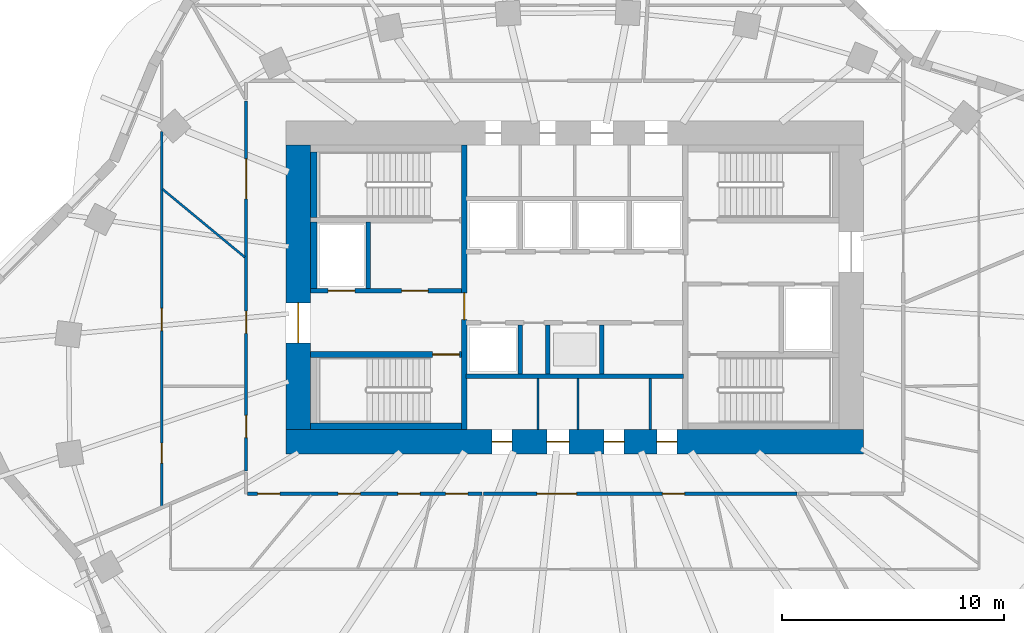
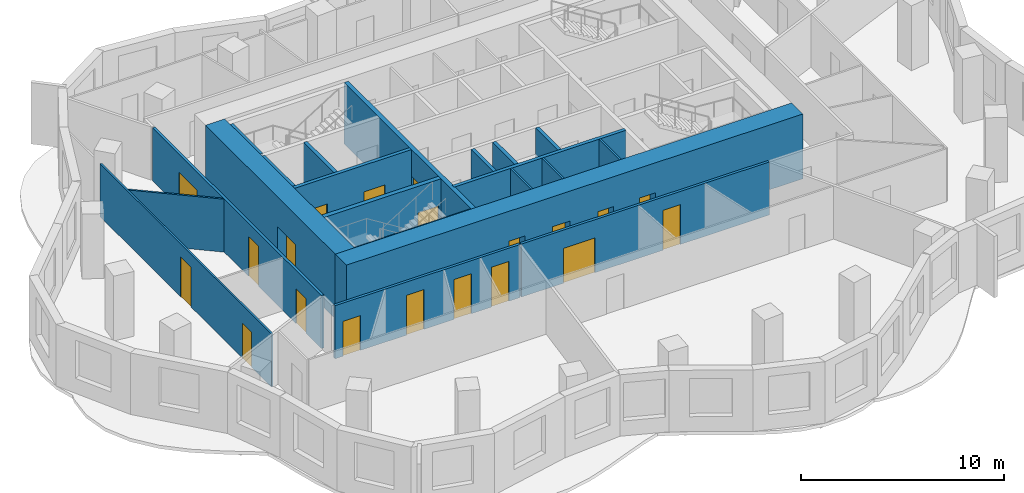
# One storey, part 4 of 10: 21 walls, 20 doors, 20 openings.
"""IFC4 building model written with IfcOpenShell, lengths in metres."""

from ifc_helpers import new_model, si_unit, direction, frame, frame_2d, origin, place, context, subcontext, project, spatial, rectangle, extrude, material, layer, layer_set, type_object, element, fill, save


model = new_model("IFC4")

# Units and contexts
model_context = context("Model", 3, precision=1e-05, world=origin(), true_north=direction((0.0, 1.0)))
body_context = subcontext(model_context, "Body", "Model", "MODEL_VIEW")
ifc_project = project(units=[si_unit("LENGTHUNIT", "METRE"), si_unit("AREAUNIT", "SQUARE_METRE"), si_unit("VOLUMEUNIT", "CUBIC_METRE"), si_unit("PLANEANGLEUNIT", "RADIAN"), si_unit("MASSUNIT", "GRAM", prefix="KILO")], contexts=[model_context])

# Site, building, storey
site_placement = place(None, origin())
site = spatial("IfcSite", under=ifc_project, at=site_placement, CompositionType="ELEMENT")
building_placement = place(site_placement, origin())
building = spatial("IfcBuilding", under=site, at=building_placement, Name="Rubra Terraces Tower", CompositionType="ELEMENT")
storey_placement = place(building_placement, frame((0.0, 0.0, 134.39990234375)))
storey = spatial("IfcBuildingStorey", under=building, at=storey_placement, Name="L32", CompositionType="ELEMENT", Elevation=134.39990234375)

# Wall, openings, doors
ifc_material_1 = material(Name="Concrete C60", Category="concrete")
ifc_layer_1 = layer(ifc_material_1, 1.10009765625)
ifc_layer_set_1 = layer_set([ifc_layer_1], Name="Concrete C60")
wall_type_1 = type_object("IfcWallType", Name="CORE WALL 1100 C60", PredefinedType="SHEAR", material=ifc_layer_set_1)
wall_1_placement = place(storey_placement, frame((-13.0, -2.449951171875, 0.0), z_axis=(0.0, 0.0, 1.0), x_axis=(1.0, 0.0, 0.0)))
wall_1 = element("IfcWall", 1, at=wall_1_placement, inside=storey, type_object=wall_type_1, Name="CORE WALL S L32", PredefinedType="SHEAR", context=body_context, shape_type="SweptSolid", body=[
    extrude(rectangle(XDim=26.0, YDim=1.10009765625, at=frame_2d((13.0, 0.0))), origin(), (0.0, 0.0, 1.0), 3.900146484375),
])
opening_1_placement = place(wall_1_placement, frame((9.27490234375, 0.0, 0.0)))
opening_1 = element("IfcOpeningElement", 2, at=opening_1_placement, cuts=wall_1, Name="Opening L32.C21", PredefinedType="OPENING", context=body_context, shape_type="SweptSolid", body=[
    extrude(rectangle(XDim=0.89990234375, YDim=2.10009765625, at=frame_2d((0.449951171875, 1.050048828125))), frame((0.0, 0.56005859375, 0.0), z_axis=(0.0, -1.0, 0.0), x_axis=(1.0, 0.0, 0.0)), (0.0, 0.0, 1.0), 1.1201171875),
])
opening_2_placement = place(wall_1_placement, frame((11.75, 0.0, 0.0)))
opening_2 = element("IfcOpeningElement", 3, at=opening_2_placement, cuts=wall_1, Name="Opening L32.C22", PredefinedType="OPENING", context=body_context, shape_type="SweptSolid", body=[
    extrude(rectangle(XDim=1.0, YDim=2.10009765625, at=frame_2d((0.5, 1.050048828125))), frame((0.0, 0.56005859375, 0.0), z_axis=(0.0, -1.0, 0.0), x_axis=(1.0, 0.0, 0.0)), (0.0, 0.0, 1.0), 1.1201171875),
])
opening_3_placement = place(wall_1_placement, frame((14.324951171875, 0.0, 0.0)))
opening_3 = element("IfcOpeningElement", 4, at=opening_3_placement, cuts=wall_1, Name="Opening L32.C23", PredefinedType="OPENING", context=body_context, shape_type="SweptSolid", body=[
    extrude(rectangle(XDim=0.89990234375, YDim=2.10009765625, at=frame_2d((0.449951171875, 1.050048828125))), frame((0.0, 0.56005859375, 0.0), z_axis=(0.0, -1.0, 0.0), x_axis=(1.0, 0.0, 0.0)), (0.0, 0.0, 1.0), 1.1201171875),
])
opening_4_placement = place(wall_1_placement, frame((16.699951171875, 0.0, 0.0)))
opening_4 = element("IfcOpeningElement", 5, at=opening_4_placement, cuts=wall_1, Name="Opening L32.C24", PredefinedType="OPENING", context=body_context, shape_type="SweptSolid", body=[
    extrude(rectangle(XDim=0.89990234375, YDim=2.10009765625, at=frame_2d((0.449951171875, 1.050048828125))), frame((0.0, 0.56005859375, 0.0), z_axis=(0.0, -1.0, 0.0), x_axis=(1.0, 0.0, 0.0)), (0.0, 0.0, 1.0), 1.1201171875),
])
ifc_material_2 = material(Name="Painted steel", Category="steel")
door_type_1 = type_object("IfcDoorType", Name="Fire door 1000x2100 single", OperationType="NOTDEFINED", PredefinedType="DOOR", material=ifc_material_2)
door_1_placement = place(opening_2_placement, origin())
door_1 = element("IfcDoor", 6, at=door_1_placement, inside=storey, type_object=door_type_1, Name="Accessible WC door", OperationType="SINGLE_SWING_RIGHT", OverallHeight=2.10009765625, OverallWidth=1.0, PredefinedType="DOOR", context=body_context, shape_type="SweptSolid", body=[
    extrude(rectangle(XDim=1.0, YDim=2.10009765625, at=frame_2d((0.5, 1.050048828125))), frame((0.0, 0.02490234375, 0.0), z_axis=(0.0, -1.0, 0.0), x_axis=(1.0, 0.0, 0.0)), (0.0, 0.0, 1.0), 0.050048828125),
])
fill(opening_2, door_1)
door_type_2 = type_object("IfcDoorType", Name="Fire door 900x2100 single", OperationType="NOTDEFINED", PredefinedType="DOOR", material=ifc_material_2)
door_2_placement = place(opening_1_placement, origin())
door_2 = element("IfcDoor", 7, at=door_2_placement, inside=storey, type_object=door_type_2, Name="Gents WC door", OperationType="SINGLE_SWING_LEFT", OverallHeight=2.10009765625, OverallWidth=0.89990234375, PredefinedType="DOOR", context=body_context, shape_type="SweptSolid", body=[
    extrude(rectangle(XDim=0.89990234375, YDim=2.10009765625, at=frame_2d((0.449951171875, 1.050048828125))), frame((0.0, 0.02490234375, 0.0), z_axis=(0.0, -1.0, 0.0), x_axis=(1.0, 0.0, 0.0)), (0.0, 0.0, 1.0), 0.050048828125),
])
fill(opening_1, door_2)
door_3_placement = place(opening_3_placement, origin())
door_3 = element("IfcDoor", 8, at=door_3_placement, inside=storey, type_object=door_type_2, Name="Ladies WC door", OperationType="SINGLE_SWING_LEFT", OverallHeight=2.10009765625, OverallWidth=0.89990234375, PredefinedType="DOOR", context=body_context, shape_type="SweptSolid", body=[
    extrude(rectangle(XDim=0.89990234375, YDim=2.10009765625, at=frame_2d((0.449951171875, 1.050048828125))), frame((0.0, 0.02490234375, 0.0), z_axis=(0.0, -1.0, 0.0), x_axis=(1.0, 0.0, 0.0)), (0.0, 0.0, 1.0), 0.050048828125),
])
fill(opening_3, door_3)
door_4_placement = place(opening_4_placement, origin())
door_4 = element("IfcDoor", 9, at=door_4_placement, inside=storey, type_object=door_type_2, Name="Cleaner's store door", OperationType="SINGLE_SWING_RIGHT", OverallHeight=2.10009765625, OverallWidth=0.89990234375, PredefinedType="DOOR", context=body_context, shape_type="SweptSolid", body=[
    extrude(rectangle(XDim=0.89990234375, YDim=2.10009765625, at=frame_2d((0.449951171875, 1.050048828125))), frame((0.0, 0.02490234375, 0.0), z_axis=(0.0, -1.0, 0.0), x_axis=(1.0, 0.0, 0.0)), (0.0, 0.0, 1.0), 0.050048828125),
])
fill(opening_4, door_4)

# Wall, opening, door
wall_2_placement = place(storey_placement, frame((-12.449951171875, -1.89990234375, 0.0), z_axis=(0.0, 0.0, 1.0), x_axis=(0.0, 1.0, 0.0)))
wall_2 = element("IfcWall", 10, at=wall_2_placement, inside=storey, type_object=wall_type_1, Name="CORE WALL W L32", PredefinedType="SHEAR", context=body_context, shape_type="SweptSolid", body=[
    extrude(rectangle(XDim=12.7998046875, YDim=1.10009765625, at=frame_2d((6.39990234375, 0.0))), origin(), (0.0, 0.0, 1.0), 3.900146484375),
])
opening_5_placement = place(wall_2_placement, frame((3.89990234375, 0.0, 0.0)))
opening_5 = element("IfcOpeningElement", 11, at=opening_5_placement, cuts=wall_2, Name="Opening L32.C01", PredefinedType="OPENING", context=body_context, shape_type="SweptSolid", body=[
    extrude(rectangle(XDim=1.800048828125, YDim=2.10009765625, at=frame_2d((0.89990234375, 1.050048828125))), frame((0.0, 0.56005859375, 0.0), z_axis=(0.0, -1.0, 0.0), x_axis=(1.0, 0.0, 0.0)), (0.0, 0.0, 1.0), 1.1201171875),
])
door_type_3 = type_object("IfcDoorType", Name="Fire door 1800x2100 double", OperationType="NOTDEFINED", PredefinedType="DOOR", material=ifc_material_2)
door_5_placement = place(opening_5_placement, origin())
door_5 = element("IfcDoor", 12, at=door_5_placement, inside=storey, type_object=door_type_3, Name="Core entrance door FF1", OperationType="DOUBLE_DOOR_SINGLE_SWING", OverallHeight=2.10009765625, OverallWidth=1.800048828125, PredefinedType="DOOR", context=body_context, shape_type="SweptSolid", body=[
    extrude(rectangle(XDim=1.800048828125, YDim=2.10009765625, at=frame_2d((0.89990234375, 1.050048828125))), frame((0.0, 0.02490234375, 0.0), z_axis=(0.0, -1.0, 0.0), x_axis=(1.0, 0.0, 0.0)), (0.0, 0.0, 1.0), 0.050048828125),
])
fill(opening_5, door_5)

# Wall, openings, doors
ifc_material_3 = material(Name="Plasterboard on steel stud, mineral wool infill", Category="steel")
ifc_layer_2 = layer(ifc_material_3, 0.14990234375)
ifc_layer_set_2 = layer_set([ifc_layer_2], Name="Plasterboard on steel stud, mineral wool infill")
wall_type_2 = type_object("IfcWallType", Name="CORRIDOR PARTITION 150", PredefinedType="PARTITIONING", material=ifc_layer_set_2)
wall_3_placement = place(storey_placement, frame((-14.800048828125, 12.881591796875, 0.0), z_axis=(0.0, 0.0, 1.0), x_axis=(0.0, -1.0, 0.0)))
wall_3 = element("IfcWall", 13, at=wall_3_placement, inside=storey, type_object=wall_type_2, Name="PARTITION", PredefinedType="PARTITIONING", context=body_context, shape_type="SweptSolid", body=[
    extrude(rectangle(XDim=16.65234375, YDim=0.14990234375, at=frame_2d((8.326171875, 0.0))), origin(), (0.0, 0.0, 1.0), 3.197998046875),
])
opening_6_placement = place(wall_3_placement, frame((2.59912109375, 0.0, 0.0)))
opening_6 = element("IfcOpeningElement", 14, at=opening_6_placement, cuts=wall_3, Name="Opening 32-107", PredefinedType="OPENING", context=body_context, shape_type="SweptSolid", body=[
    extrude(rectangle(XDim=1.800048828125, YDim=2.10009765625, at=frame_2d((0.89990234375, 1.050048828125))), frame((0.0, 0.0849609375, 0.0), z_axis=(0.0, -1.0, 0.0), x_axis=(1.0, 0.0, 0.0)), (0.0, 0.0, 1.0), 0.169921875),
])
opening_7_placement = place(wall_3_placement, frame((9.4560546875, 0.0, 0.0)))
opening_7 = element("IfcOpeningElement", 15, at=opening_7_placement, cuts=wall_3, Name="Opening 32-108", PredefinedType="OPENING", context=body_context, shape_type="SweptSolid", body=[
    extrude(rectangle(XDim=1.0, YDim=2.39990234375, at=frame_2d((0.5, 1.199951171875))), frame((0.0, 0.0849609375, 0.0), z_axis=(0.0, -1.0, 0.0), x_axis=(1.0, 0.0, 0.0)), (0.0, 0.0, 1.0), 0.169921875),
])
opening_8_placement = place(wall_3_placement, frame((14.14990234375, 0.0, 0.0)))
opening_8 = element("IfcOpeningElement", 16, at=opening_8_placement, cuts=wall_3, Name="Opening 32-129", PredefinedType="OPENING", context=body_context, shape_type="SweptSolid", body=[
    extrude(rectangle(XDim=1.0, YDim=2.10009765625, at=frame_2d((0.5, 1.050048828125))), frame((0.0, 0.0849609375, 0.0), z_axis=(0.0, -1.0, 0.0), x_axis=(1.0, 0.0, 0.0)), (0.0, 0.0, 1.0), 0.169921875),
])
ifc_material_4 = material(Name="Glazed aluminium meeting door leaf", Category="aluminium")
door_type_4 = type_object("IfcDoorType", Name="MEETING ROOM GLAZED DOOR 1000 X 2400", OperationType="SINGLE_SWING_LEFT", PredefinedType="DOOR", material=ifc_material_4)
door_6_placement = place(opening_7_placement, origin())
door_6 = element("IfcDoor", 17, at=door_6_placement, inside=storey, type_object=door_type_4, Name="DOOR 32-108", OperationType="SINGLE_SWING_RIGHT", OverallHeight=2.39990234375, OverallWidth=1.0, PredefinedType="DOOR", context=body_context, shape_type="SweptSolid", body=[
    extrude(rectangle(XDim=1.0, YDim=2.39990234375, at=frame_2d((0.5, 1.199951171875))), frame((0.0, 0.02490234375, 0.0), z_axis=(0.0, -1.0, 0.0), x_axis=(1.0, 0.0, 0.0)), (0.0, 0.0, 1.0), 0.050048828125),
])
fill(opening_7, door_6)
ifc_material_5 = material(Name="Painted timber door leaf", Category="wood")
door_type_5 = type_object("IfcDoorType", Name="ROOM DOOR 1000 X 2100", OperationType="SINGLE_SWING_LEFT", PredefinedType="DOOR", material=ifc_material_5)
door_7_placement = place(opening_8_placement, origin())
door_7 = element("IfcDoor", 18, at=door_7_placement, inside=storey, type_object=door_type_5, Name="DOOR 32-129", OperationType="SINGLE_SWING_RIGHT", OverallHeight=2.10009765625, OverallWidth=1.0, PredefinedType="DOOR", context=body_context, shape_type="SweptSolid", body=[
    extrude(rectangle(XDim=1.0, YDim=2.10009765625, at=frame_2d((0.5, 1.050048828125))), frame((0.0, 0.02490234375, 0.0), z_axis=(0.0, -1.0, 0.0), x_axis=(1.0, 0.0, 0.0)), (0.0, 0.0, 1.0), 0.050048828125),
])
fill(opening_8, door_7)
ifc_material_6 = material(Name="Painted timber door leaf, double", Category="wood")
door_type_6 = type_object("IfcDoorType", Name="ROOM DOUBLE DOOR 1800 X 2100", OperationType="DOUBLE_DOOR_SINGLE_SWING", PredefinedType="DOOR", material=ifc_material_6)
door_8_placement = place(opening_6_placement, origin())
door_8 = element("IfcDoor", 19, at=door_8_placement, inside=storey, type_object=door_type_6, Name="DOOR 32-107", OperationType="DOUBLE_DOOR_SINGLE_SWING", OverallHeight=2.10009765625, OverallWidth=1.800048828125, PredefinedType="DOOR", context=body_context, shape_type="SweptSolid", body=[
    extrude(rectangle(XDim=1.800048828125, YDim=2.10009765625, at=frame_2d((0.89990234375, 1.050048828125))), frame((0.0, 0.02490234375, 0.0), z_axis=(0.0, -1.0, 0.0), x_axis=(1.0, 0.0, 0.0)), (0.0, 0.0, 1.0), 0.050048828125),
])
fill(opening_6, door_8)

wall_4_placement = place(storey_placement, frame((-14.72509765625, -4.800048828125, 0.0), z_axis=(0.0, 0.0, 1.0), x_axis=(1.0, 0.0, 0.0)))
wall_4 = element("IfcWall", 20, at=wall_4_placement, inside=storey, type_object=wall_type_2, Name="PARTITION", PredefinedType="PARTITIONING", context=body_context, shape_type="SweptSolid", body=[
    extrude(rectangle(XDim=10.544189453125, YDim=0.14990234375, at=frame_2d((5.27197265625, 0.0))), origin(), (0.0, 0.0, 1.0), 3.197998046875),
])
opening_9_placement = place(wall_4_placement, frame((0.449951171875, 0.0, 0.0)))
opening_9 = element("IfcOpeningElement", 21, at=opening_9_placement, cuts=wall_4, Name="Opening 32-110", PredefinedType="OPENING", context=body_context, shape_type="SweptSolid", body=[
    extrude(rectangle(XDim=1.0, YDim=2.10009765625, at=frame_2d((0.5, 1.050048828125))), frame((0.0, 0.0849609375, 0.0), z_axis=(0.0, -1.0, 0.0), x_axis=(1.0, 0.0, 0.0)), (0.0, 0.0, 1.0), 0.169921875),
])
opening_10_placement = place(wall_4_placement, frame((4.072998046875, 0.0, 0.0)))
opening_10 = element("IfcOpeningElement", 22, at=opening_10_placement, cuts=wall_4, Name="Opening 32-112", PredefinedType="OPENING", context=body_context, shape_type="SweptSolid", body=[
    extrude(rectangle(XDim=1.0, YDim=2.39990234375, at=frame_2d((0.5, 1.199951171875))), frame((0.0, 0.0849609375, 0.0), z_axis=(0.0, -1.0, 0.0), x_axis=(1.0, 0.0, 0.0)), (0.0, 0.0, 1.0), 0.169921875),
])
opening_11_placement = place(wall_4_placement, frame((6.763916015625, 0.0, 0.0)))
opening_11 = element("IfcOpeningElement", 23, at=opening_11_placement, cuts=wall_4, Name="Opening 32-113", PredefinedType="OPENING", context=body_context, shape_type="SweptSolid", body=[
    extrude(rectangle(XDim=1.0, YDim=2.39990234375, at=frame_2d((0.5, 1.199951171875))), frame((0.0, 0.0849609375, 0.0), z_axis=(0.0, -1.0, 0.0), x_axis=(1.0, 0.0, 0.0)), (0.0, 0.0, 1.0), 0.169921875),
])
opening_12_placement = place(wall_4_placement, frame((8.916015625, 0.0, 0.0)))
opening_12 = element("IfcOpeningElement", 24, at=opening_12_placement, cuts=wall_4, Name="Opening 32-114", PredefinedType="OPENING", context=body_context, shape_type="SweptSolid", body=[
    extrude(rectangle(XDim=1.0, YDim=2.39990234375, at=frame_2d((0.5, 1.199951171875))), frame((0.0, 0.0849609375, 0.0), z_axis=(0.0, -1.0, 0.0), x_axis=(1.0, 0.0, 0.0)), (0.0, 0.0, 1.0), 0.169921875),
])
door_9_placement = place(opening_10_placement, origin())
door_9 = element("IfcDoor", 25, at=door_9_placement, inside=storey, type_object=door_type_4, Name="DOOR 32-112", OperationType="SINGLE_SWING_RIGHT", OverallHeight=2.39990234375, OverallWidth=1.0, PredefinedType="DOOR", context=body_context, shape_type="SweptSolid", body=[
    extrude(rectangle(XDim=1.0, YDim=2.39990234375, at=frame_2d((0.5, 1.199951171875))), frame((0.0, 0.02490234375, 0.0), z_axis=(0.0, -1.0, 0.0), x_axis=(1.0, 0.0, 0.0)), (0.0, 0.0, 1.0), 0.050048828125),
])
fill(opening_10, door_9)
door_10_placement = place(opening_11_placement, origin())
door_10 = element("IfcDoor", 26, at=door_10_placement, inside=storey, type_object=door_type_4, Name="DOOR 32-113", OperationType="SINGLE_SWING_RIGHT", OverallHeight=2.39990234375, OverallWidth=1.0, PredefinedType="DOOR", context=body_context, shape_type="SweptSolid", body=[
    extrude(rectangle(XDim=1.0, YDim=2.39990234375, at=frame_2d((0.5, 1.199951171875))), frame((0.0, 0.02490234375, 0.0), z_axis=(0.0, -1.0, 0.0), x_axis=(1.0, 0.0, 0.0)), (0.0, 0.0, 1.0), 0.050048828125),
])
fill(opening_11, door_10)
door_11_placement = place(opening_12_placement, origin())
door_11 = element("IfcDoor", 27, at=door_11_placement, inside=storey, type_object=door_type_4, Name="DOOR 32-114", OperationType="SINGLE_SWING_RIGHT", OverallHeight=2.39990234375, OverallWidth=1.0, PredefinedType="DOOR", context=body_context, shape_type="SweptSolid", body=[
    extrude(rectangle(XDim=1.0, YDim=2.39990234375, at=frame_2d((0.5, 1.199951171875))), frame((0.0, 0.02490234375, 0.0), z_axis=(0.0, -1.0, 0.0), x_axis=(1.0, 0.0, 0.0)), (0.0, 0.0, 1.0), 0.050048828125),
])
fill(opening_12, door_11)
door_12_placement = place(opening_9_placement, origin())
door_12 = element("IfcDoor", 28, at=door_12_placement, inside=storey, type_object=door_type_5, Name="DOOR 32-110", OperationType="SINGLE_SWING_RIGHT", OverallHeight=2.10009765625, OverallWidth=1.0, PredefinedType="DOOR", context=body_context, shape_type="SweptSolid", body=[
    extrude(rectangle(XDim=1.0, YDim=2.10009765625, at=frame_2d((0.5, 1.050048828125))), frame((0.0, 0.02490234375, 0.0), z_axis=(0.0, -1.0, 0.0), x_axis=(1.0, 0.0, 0.0)), (0.0, 0.0, 1.0), 0.050048828125),
])
fill(opening_9, door_12)

wall_5_placement = place(storey_placement, frame((-4.105712890625, -4.800048828125, 0.0), z_axis=(0.0, 0.0, 1.0), x_axis=(1.0, 0.0, 0.0)))
wall_5 = element("IfcWall", 29, at=wall_5_placement, inside=storey, type_object=wall_type_2, Name="PARTITION", PredefinedType="PARTITIONING", context=body_context, shape_type="SweptSolid", body=[
    extrude(rectangle(XDim=14.116943359375, YDim=0.14990234375, at=frame_2d((7.05859375, 0.0))), origin(), (0.0, 0.0, 1.0), 3.197998046875),
])
opening_13_placement = place(wall_5_placement, frame((2.39599609375, 0.0, 0.0)))
opening_13 = element("IfcOpeningElement", 30, at=opening_13_placement, cuts=wall_5, Name="Opening 32-115", PredefinedType="OPENING", context=body_context, shape_type="SweptSolid", body=[
    extrude(rectangle(XDim=1.800048828125, YDim=2.10009765625, at=frame_2d((0.89990234375, 1.050048828125))), frame((0.0, 0.0849609375, 0.0), z_axis=(0.0, -1.0, 0.0), x_axis=(1.0, 0.0, 0.0)), (0.0, 0.0, 1.0), 0.169921875),
])
opening_14_placement = place(wall_5_placement, frame((8.052978515625, 0.0, 0.0)))
opening_14 = element("IfcOpeningElement", 31, at=opening_14_placement, cuts=wall_5, Name="Opening 32-117", PredefinedType="OPENING", context=body_context, shape_type="SweptSolid", body=[
    extrude(rectangle(XDim=1.0, YDim=2.39990234375, at=frame_2d((0.5, 1.199951171875))), frame((0.0, 0.0849609375, 0.0), z_axis=(0.0, -1.0, 0.0), x_axis=(1.0, 0.0, 0.0)), (0.0, 0.0, 1.0), 0.169921875),
])
door_13_placement = place(opening_14_placement, origin())
door_13 = element("IfcDoor", 32, at=door_13_placement, inside=storey, type_object=door_type_4, Name="DOOR 32-117", OperationType="SINGLE_SWING_RIGHT", OverallHeight=2.39990234375, OverallWidth=1.0, PredefinedType="DOOR", context=body_context, shape_type="SweptSolid", body=[
    extrude(rectangle(XDim=1.0, YDim=2.39990234375, at=frame_2d((0.5, 1.199951171875))), frame((0.0, 0.02490234375, 0.0), z_axis=(0.0, -1.0, 0.0), x_axis=(1.0, 0.0, 0.0)), (0.0, 0.0, 1.0), 0.050048828125),
])
fill(opening_14, door_13)
door_14_placement = place(opening_13_placement, origin())
door_14 = element("IfcDoor", 33, at=door_14_placement, inside=storey, type_object=door_type_6, Name="DOOR 32-115", OperationType="DOUBLE_DOOR_SINGLE_SWING", OverallHeight=2.10009765625, OverallWidth=1.800048828125, PredefinedType="DOOR", context=body_context, shape_type="SweptSolid", body=[
    extrude(rectangle(XDim=1.800048828125, YDim=2.10009765625, at=frame_2d((0.89990234375, 1.050048828125))), frame((0.0, 0.02490234375, 0.0), z_axis=(0.0, -1.0, 0.0), x_axis=(1.0, 0.0, 0.0)), (0.0, 0.0, 1.0), 0.050048828125),
])
fill(opening_13, door_14)

# Walls
ifc_material_7 = material(Name="Concrete C40", Category="concrete")
ifc_layer_3 = layer(ifc_material_7, 0.300048828125)
ifc_layer_set_3 = layer_set([ifc_layer_3], Name="Concrete C40")
wall_type_3 = type_object("IfcWallType", Name="Core lining wall 300 concrete", PredefinedType="SOLIDWALL", material=ifc_layer_set_3)
wall_6_placement = place(storey_placement, frame((-11.89990234375, -1.75, 0.0), z_axis=(0.0, 0.0, 1.0), x_axis=(1.0, 0.0, 0.0)))
element("IfcWall", 34, at=wall_6_placement, inside=storey, type_object=wall_type_3, Name="CORE LINING WALL L32", PredefinedType="SOLIDWALL", context=body_context, shape_type="SweptSolid", body=[
    extrude(rectangle(XDim=6.7998046875, YDim=0.300048828125, at=frame_2d((3.39990234375, 0.0))), origin(), (0.0, 0.0, 1.0), 3.7001953125),
])
wall_7_placement = place(storey_placement, frame((-11.75, 4.449951171875, 0.0), z_axis=(0.0, 0.0, 1.0), x_axis=(0.0, 1.0, 0.0)))
element("IfcWall", 35, at=wall_7_placement, inside=storey, type_object=wall_type_3, Name="CORE LINING WALL L32", PredefinedType="SOLIDWALL", context=body_context, shape_type="SweptSolid", body=[
    extrude(rectangle(XDim=3.0, YDim=0.300048828125, at=frame_2d((1.5, 0.0))), origin(), (0.0, 0.0, 1.0), 3.7001953125),
])
wall_8_placement = place(storey_placement, frame((-11.75, 7.64990234375, 0.0), z_axis=(0.0, 0.0, 1.0), x_axis=(0.0, 1.0, 0.0)))
element("IfcWall", 36, at=wall_8_placement, inside=storey, type_object=wall_type_3, Name="CORE LINING WALL L32", PredefinedType="SOLIDWALL", context=body_context, shape_type="SweptSolid", body=[
    extrude(rectangle(XDim=2.9501953125, YDim=0.300048828125, at=frame_2d((1.47509765625, 0.0))), origin(), (0.0, 0.0, 1.0), 3.7001953125),
])

# Wall, openings, doors
ifc_material_8 = material(Name="Concrete C30", Category="concrete")
ifc_layer_4 = layer(ifc_material_8, 0.199951171875)
ifc_layer_set_4 = layer_set([ifc_layer_4], Name="Concrete C30")
wall_type_4 = type_object("IfcWallType", Name="Core wall 200 concrete", PredefinedType="SOLIDWALL", material=ifc_layer_set_4)
wall_9_placement = place(storey_placement, frame((-11.89990234375, 4.35009765625, 0.0), z_axis=(0.0, 0.0, 1.0), x_axis=(1.0, 0.0, 0.0)))
wall_9 = element("IfcWall", 37, at=wall_9_placement, inside=storey, type_object=wall_type_4, Name="STAIR WALL L32", PredefinedType="SOLIDWALL", context=body_context, shape_type="SweptSolid", body=[
    extrude(rectangle(XDim=6.7998046875, YDim=0.199951171875, at=frame_2d((3.39990234375, 0.0))), origin(), (0.0, 0.0, 1.0), 3.7001953125),
])
opening_15_placement = place(wall_9_placement, frame((4.10009765625, 0.0, 0.0)))
opening_15 = element("IfcOpeningElement", 38, at=opening_15_placement, cuts=wall_9, Name="Opening L32.C05", PredefinedType="OPENING", context=body_context, shape_type="SweptSolid", body=[
    extrude(rectangle(XDim=1.199951171875, YDim=2.10009765625, at=frame_2d((0.60009765625, 1.050048828125))), frame((0.0, 0.10986328125, 0.0), z_axis=(0.0, -1.0, 0.0), x_axis=(1.0, 0.0, 0.0)), (0.0, 0.0, 1.0), 0.219970703125),
])
opening_16_placement = place(wall_9_placement, frame((0.800048828125, 0.0, 0.0)))
opening_16 = element("IfcOpeningElement", 39, at=opening_16_placement, cuts=wall_9, Name="Opening L32.C11", PredefinedType="OPENING", context=body_context, shape_type="SweptSolid", body=[
    extrude(rectangle(XDim=1.199951171875, YDim=2.10009765625, at=frame_2d((0.60009765625, 1.050048828125))), frame((0.0, 0.10986328125, 0.0), z_axis=(0.0, -1.0, 0.0), x_axis=(1.0, 0.0, 0.0)), (0.0, 0.0, 1.0), 0.219970703125),
])
door_type_7 = type_object("IfcDoorType", Name="Fire door 1200x2100 single", OperationType="NOTDEFINED", PredefinedType="DOOR", material=ifc_material_2)
door_15_placement = place(opening_15_placement, origin())
door_15 = element("IfcDoor", 40, at=door_15_placement, inside=storey, type_object=door_type_7, Name="Stair vestibule door S2", OperationType="SINGLE_SWING_LEFT", OverallHeight=2.10009765625, OverallWidth=1.199951171875, PredefinedType="DOOR", context=body_context, shape_type="SweptSolid", body=[
    extrude(rectangle(XDim=1.199951171875, YDim=2.10009765625, at=frame_2d((0.60009765625, 1.050048828125))), frame((0.0, 0.02490234375, 0.0), z_axis=(0.0, -1.0, 0.0), x_axis=(1.0, 0.0, 0.0)), (0.0, 0.0, 1.0), 0.050048828125),
])
fill(opening_15, door_15)
ifc_material_9 = material(Name="Stainless steel", Category="steel")
door_type_8 = type_object("IfcDoorType", Name="Lift landing door 1200x2100", OperationType="NOTDEFINED", PredefinedType="DOOR", material=ifc_material_9)
door_16_placement = place(opening_16_placement, origin())
door_16 = element("IfcDoor", 41, at=door_16_placement, inside=storey, type_object=door_type_8, Name="Landing door FF1", OperationType="SLIDING_TO_RIGHT", OverallHeight=2.10009765625, OverallWidth=1.199951171875, PredefinedType="DOOR", context=body_context, shape_type="SweptSolid", body=[
    extrude(rectangle(XDim=1.199951171875, YDim=2.10009765625, at=frame_2d((0.60009765625, 1.050048828125))), frame((0.0, 0.02490234375, 0.0), z_axis=(0.0, -1.0, 0.0), x_axis=(1.0, 0.0, 0.0)), (0.0, 0.0, 1.0), 0.050048828125),
])
fill(opening_16, door_16)

# Walls
wall_10_placement = place(storey_placement, frame((-9.300048828125, 4.449951171875, 0.0), z_axis=(0.0, 0.0, 1.0), x_axis=(0.0, 1.0, 0.0)))
element("IfcWall", 42, at=wall_10_placement, inside=storey, type_object=wall_type_4, Name="STAIR WALL L32", PredefinedType="SOLIDWALL", context=body_context, shape_type="SweptSolid", body=[
    extrude(rectangle(XDim=3.0, YDim=0.199951171875, at=frame_2d((1.5, 0.0))), origin(), (0.0, 0.0, 1.0), 3.7001953125),
])
wall_11_placement = place(storey_placement, frame((-4.89990234375, 0.5, 0.0), z_axis=(0.0, 0.0, 1.0), x_axis=(1.0, 0.0, 0.0)))
element("IfcWall", 43, at=wall_11_placement, inside=storey, type_object=wall_type_4, Name="LIFT SHAFT WALL L32", PredefinedType="SOLIDWALL", context=body_context, shape_type="SweptSolid", body=[
    extrude(rectangle(XDim=9.7998046875, YDim=0.199951171875, at=frame_2d((4.89990234375, 0.0))), origin(), (0.0, 0.0, 1.0), 3.7001953125),
])
for number, where, z_axis, x_axis, name in (
    (44, (-2.449951171875, 0.60009765625, 0.0), (0.0, 0.0, 1.0), (0.0, 1.0, 0.0), "LIFT SHAFT WALL L32"),
    (45, (-1.22509765625, 0.60009765625, 0.0), (0.0, 0.0, 1.0), (0.0, 1.0, 0.0), "LIFT SHAFT WALL L32"),
    (46, (1.22509765625, 0.60009765625, 0.0), (0.0, 0.0, 1.0), (0.0, 1.0, 0.0), "LIFT SHAFT WALL L32"),
):
    element("IfcWall", number, at=place(storey_placement, frame(where, z_axis=z_axis, x_axis=x_axis)), inside=storey, type_object=wall_type_4, Name=name, PredefinedType="SOLIDWALL", context=body_context, shape_type="SweptSolid", body=[
        extrude(rectangle(XDim=2.199951171875, YDim=0.199951171875, at=frame_2d((1.10009765625, 0.0))), origin(), (0.0, 0.0, 1.0), 3.7001953125),
    ])

# Wall, openings, doors
ifc_material_10 = material(Name="Plasterboard on steel stud", Category="steel")
ifc_layer_5 = layer(ifc_material_10, 0.10009765625)
ifc_layer_set_5 = layer_set([ifc_layer_5], Name="Plasterboard on steel stud")
wall_type_5 = type_object("IfcWallType", Name="ROOM PARTITION 100", PredefinedType="PARTITIONING", material=ifc_layer_set_5)
wall_12_placement = place(storey_placement, frame((-18.60009765625, -5.396728515625, 0.0), z_axis=(0.0, 0.0, 1.0), x_axis=(0.0, 1.0, 0.0)))
wall_12 = element("IfcWall", 47, at=wall_12_placement, inside=storey, type_object=wall_type_5, Name="PARTITION", PredefinedType="PARTITIONING", context=body_context, shape_type="SweptSolid", body=[
    extrude(rectangle(XDim=16.918701171875, YDim=0.10009765625, at=frame_2d((8.45947265625, 0.0))), origin(), (0.0, 0.0, 1.0), 3.18408203125),
])
opening_17_placement = place(wall_12_placement, frame((1.97509765625, 0.0, 0.0)))
opening_17 = element("IfcOpeningElement", 48, at=opening_17_placement, cuts=wall_12, Name="Opening 32-109", PredefinedType="OPENING", context=body_context, shape_type="SweptSolid", body=[
    extrude(rectangle(XDim=0.89990234375, YDim=2.10009765625, at=frame_2d((0.449951171875, 1.050048828125))), frame((0.0, 0.06005859375, 0.0), z_axis=(0.0, -1.0, 0.0), x_axis=(1.0, 0.0, 0.0)), (0.0, 0.0, 1.0), 0.1201171875),
])
opening_18_placement = place(wall_12_placement, frame((7.949951171875, 0.0, 0.0)))
opening_18 = element("IfcOpeningElement", 49, at=opening_18_placement, cuts=wall_12, Name="Opening 32-128", PredefinedType="OPENING", context=body_context, shape_type="SweptSolid", body=[
    extrude(rectangle(XDim=1.0, YDim=2.39990234375, at=frame_2d((0.5, 1.199951171875))), frame((0.0, 0.06005859375, 0.0), z_axis=(0.0, -1.0, 0.0), x_axis=(1.0, 0.0, 0.0)), (0.0, 0.0, 1.0), 0.1201171875),
])
door_17_placement = place(opening_18_placement, origin())
door_17 = element("IfcDoor", 50, at=door_17_placement, inside=storey, type_object=door_type_4, Name="DOOR 32-128", OperationType="SINGLE_SWING_LEFT", OverallHeight=2.39990234375, OverallWidth=1.0, PredefinedType="DOOR", context=body_context, shape_type="SweptSolid", body=[
    extrude(rectangle(XDim=1.0, YDim=2.39990234375, at=frame_2d((0.5, 1.199951171875))), frame((0.0, 0.02490234375, 0.0), z_axis=(0.0, -1.0, 0.0), x_axis=(1.0, 0.0, 0.0)), (0.0, 0.0, 1.0), 0.050048828125),
])
fill(opening_18, door_17)
door_type_9 = type_object("IfcDoorType", Name="ROOM DOOR 900 X 2100", OperationType="SINGLE_SWING_LEFT", PredefinedType="DOOR", material=ifc_material_5)
door_18_placement = place(opening_17_placement, origin())
door_18 = element("IfcDoor", 51, at=door_18_placement, inside=storey, type_object=door_type_9, Name="DOOR 32-109", OperationType="SINGLE_SWING_LEFT", OverallHeight=2.10009765625, OverallWidth=0.89990234375, PredefinedType="DOOR", context=body_context, shape_type="SweptSolid", body=[
    extrude(rectangle(XDim=0.89990234375, YDim=2.10009765625, at=frame_2d((0.449951171875, 1.050048828125))), frame((0.0, 0.02490234375, 0.0), z_axis=(0.0, -1.0, 0.0), x_axis=(1.0, 0.0, 0.0)), (0.0, 0.0, 1.0), 0.050048828125),
])
fill(opening_17, door_18)

# Walls
wall_13_placement = place(storey_placement, frame((-14.85791015625, 5.856689453125, 0.0), z_axis=(0.0, 0.0, 1.0), x_axis=(-0.770605931108, 0.637311932213, 0.0)))
element("IfcWall", 52, at=wall_13_placement, inside=storey, type_object=wall_type_5, Name="PARTITION", PredefinedType="PARTITIONING", context=body_context, shape_type="SweptSolid", body=[
    extrude(rectangle(XDim=4.80615234375, YDim=0.10009765625, at=frame_2d((2.403076171875, 0.0))), origin(), (0.0, 0.0, 1.0), 3.18408203125),
])
ifc_material_11 = material(Name="Blockwork", Category="masonry")
ifc_layer_6 = layer(ifc_material_11, 0.10009765625)
ifc_layer_set_6 = layer_set([ifc_layer_6], Name="Blockwork")
wall_type_6 = type_object("IfcWallType", Name="Service partition 100 blockwork", PredefinedType="PARTITIONING", material=ifc_layer_set_6)
for number, where, z_axis, x_axis, name in (
    (53, (-1.64990234375, -1.89990234375, 0.0), (0.0, 0.0, 1.0), (0.0, 1.0, 0.0), "SERVICE ROOM PARTITION L32"),
    (54, (0.14990234375, -1.89990234375, 0.0), (0.0, 0.0, 1.0), (0.0, 1.0, 0.0), "SERVICE ROOM PARTITION L32"),
    (55, (3.39990234375, -1.89990234375, 0.0), (0.0, 0.0, 1.0), (0.0, 1.0, 0.0), "SERVICE ROOM PARTITION L32"),
):
    element("IfcWall", number, at=place(storey_placement, frame(where, z_axis=z_axis, x_axis=x_axis)), inside=storey, type_object=wall_type_6, Name=name, PredefinedType="PARTITIONING", context=body_context, shape_type="SweptSolid", body=[
        extrude(rectangle(XDim=2.2998046875, YDim=0.10009765625, at=frame_2d((1.14990234375, 0.0))), origin(), (0.0, 0.0, 1.0), 3.7001953125),
    ])

# Wall, opening, door
ifc_layer_7 = layer(ifc_material_7, 0.25)
ifc_layer_set_7 = layer_set([ifc_layer_7], Name="Concrete C40")
wall_type_7 = type_object("IfcWallType", Name="Stair enclosure wall 250 concrete", PredefinedType="SOLIDWALL", material=ifc_layer_set_7)
wall_14_placement = place(storey_placement, frame((-11.89990234375, 1.47509765625, 0.0), z_axis=(0.0, 0.0, 1.0), x_axis=(1.0, 0.0, 0.0)))
wall_14 = element("IfcWall", 56, at=wall_14_placement, inside=storey, type_object=wall_type_7, Name="STAIR WALL L32", PredefinedType="SOLIDWALL", context=body_context, shape_type="SweptSolid", body=[
    extrude(rectangle(XDim=6.7998046875, YDim=0.25, at=frame_2d((3.39990234375, 0.0))), origin(), (0.0, 0.0, 1.0), 3.7001953125),
])
opening_19_placement = place(wall_14_placement, frame((5.5, 0.0, 0.0)))
opening_19 = element("IfcOpeningElement", 57, at=opening_19_placement, cuts=wall_14, Name="Opening L32.C07", PredefinedType="OPENING", context=body_context, shape_type="SweptSolid", body=[
    extrude(rectangle(XDim=1.199951171875, YDim=2.10009765625, at=frame_2d((0.60009765625, 1.050048828125))), frame((0.0, 0.135009765625, 0.0), z_axis=(0.0, -1.0, 0.0), x_axis=(1.0, 0.0, 0.0)), (0.0, 0.0, 1.0), 0.27001953125),
])
door_19_placement = place(opening_19_placement, origin())
door_19 = element("IfcDoor", 58, at=door_19_placement, inside=storey, type_object=door_type_7, Name="Stair door S1", OperationType="SINGLE_SWING_LEFT", OverallHeight=2.10009765625, OverallWidth=1.199951171875, PredefinedType="DOOR", context=body_context, shape_type="SweptSolid", body=[
    extrude(rectangle(XDim=1.199951171875, YDim=2.10009765625, at=frame_2d((0.60009765625, 1.050048828125))), frame((0.0, 0.02490234375, 0.0), z_axis=(0.0, -1.0, 0.0), x_axis=(1.0, 0.0, 0.0)), (0.0, 0.0, 1.0), 0.050048828125),
])
fill(opening_19, door_19)

wall_15_placement = place(storey_placement, frame((-4.97509765625, -1.89990234375, 0.0), z_axis=(0.0, 0.0, 1.0), x_axis=(0.0, 1.0, 0.0)))
wall_15 = element("IfcWall", 59, at=wall_15_placement, inside=storey, type_object=wall_type_7, Name="CORE LOBBY WALL L32", PredefinedType="SOLIDWALL", context=body_context, shape_type="SweptSolid", body=[
    extrude(rectangle(XDim=12.7998046875, YDim=0.25, at=frame_2d((6.39990234375, 0.0))), origin(), (0.0, 0.0, 1.0), 3.7001953125),
])
opening_20_placement = place(wall_15_placement, frame((4.949951171875, 0.0, 0.0)))
opening_20 = element("IfcOpeningElement", 60, at=opening_20_placement, cuts=wall_15, Name="Opening L32.C03", PredefinedType="OPENING", context=body_context, shape_type="SweptSolid", body=[
    extrude(rectangle(XDim=1.199951171875, YDim=2.10009765625, at=frame_2d((0.60009765625, 1.050048828125))), frame((0.0, 0.135009765625, 0.0), z_axis=(0.0, -1.0, 0.0), x_axis=(1.0, 0.0, 0.0)), (0.0, 0.0, 1.0), 0.27001953125),
])
door_20_placement = place(opening_20_placement, origin())
door_20 = element("IfcDoor", 61, at=door_20_placement, inside=storey, type_object=door_type_7, Name="Firefighting lobby door FF1", OperationType="SINGLE_SWING_LEFT", OverallHeight=2.10009765625, OverallWidth=1.199951171875, PredefinedType="DOOR", context=body_context, shape_type="SweptSolid", body=[
    extrude(rectangle(XDim=1.199951171875, YDim=2.10009765625, at=frame_2d((0.60009765625, 1.050048828125))), frame((0.0, 0.02490234375, 0.0), z_axis=(0.0, -1.0, 0.0), x_axis=(1.0, 0.0, 0.0)), (0.0, 0.0, 1.0), 0.050048828125),
])
fill(opening_20, door_20)

save(model, "model.ifc")
